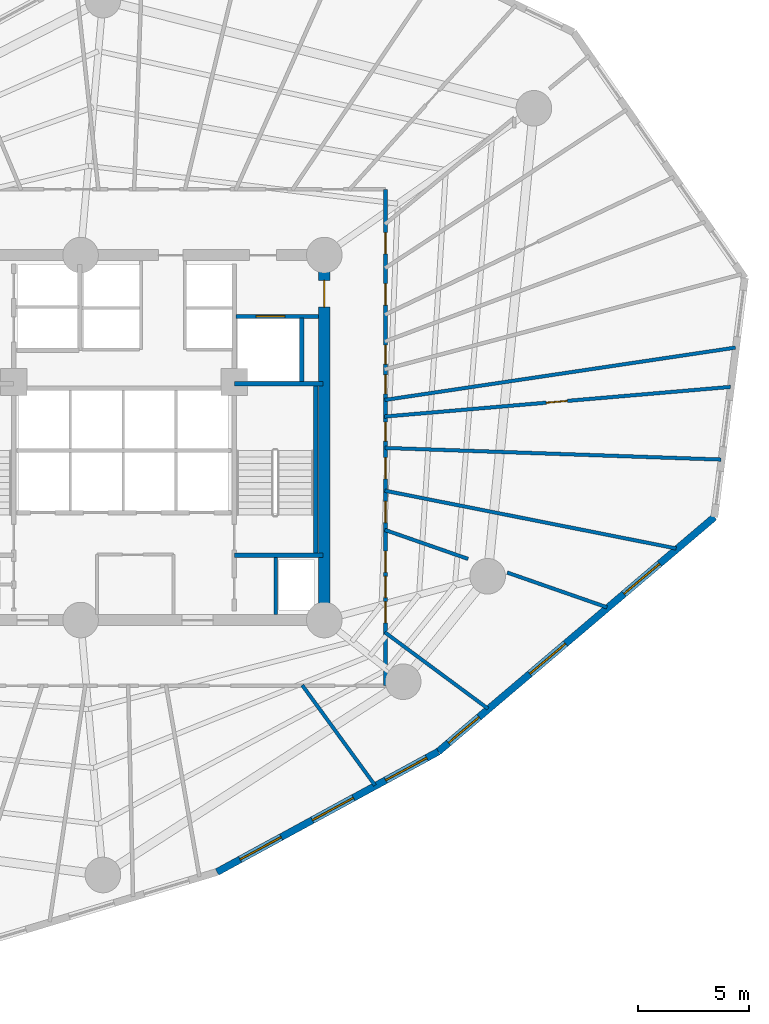
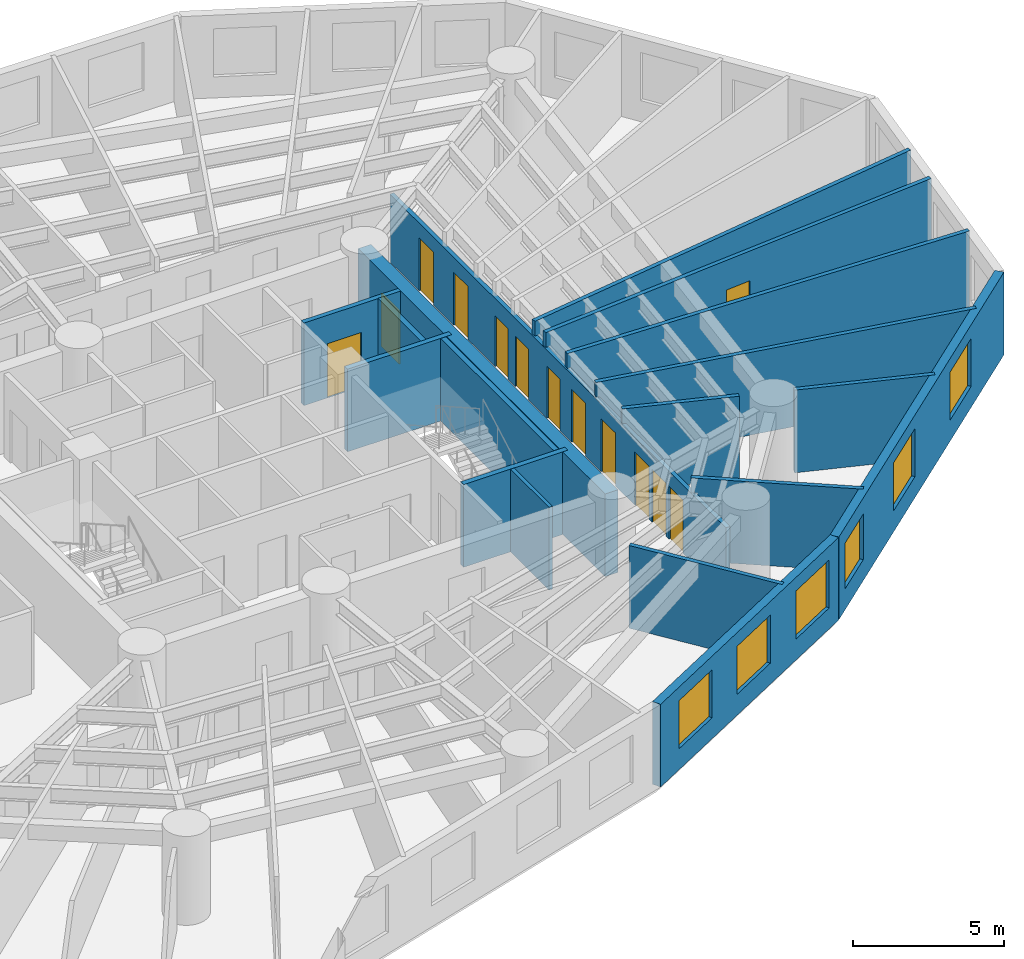
# One storey, part 5 of 9: 18 walls, 13 doors, 6 windows, 19 openings.
"""IFC4 building model written with IfcOpenShell, lengths in metres."""

from ifc_helpers import new_model, si_unit, direction, frame, frame_2d, origin, origin_with_axes, place, context, subcontext, project, spatial, rectangle, extrude, source, transform, mapped, material, layer, layer_set, type_object, element, fill, save


model = new_model("IFC4")

# Units and contexts
model_context = context("Model", 3, precision=1e-05, world=origin(), true_north=direction((0.0, 1.0)))
body_context = subcontext(model_context, "Body", "Model", "MODEL_VIEW")
ifc_project = project(units=[si_unit("LENGTHUNIT", "METRE"), si_unit("AREAUNIT", "SQUARE_METRE"), si_unit("VOLUMEUNIT", "CUBIC_METRE"), si_unit("PLANEANGLEUNIT", "RADIAN"), si_unit("MASSUNIT", "GRAM", prefix="KILO")], contexts=[model_context])

# Site, building, storey
site_placement = place(None, origin())
site = spatial("IfcSite", under=ifc_project, at=site_placement, CompositionType="ELEMENT")
building_placement = place(site_placement, origin())
building = spatial("IfcBuilding", under=site, at=building_placement, Name="Karkom Vertical University and Central Library", CompositionType="ELEMENT")
storey_placement = place(building_placement, frame((0.0, 0.0, 26.5)))
storey = spatial("IfcBuildingStorey", under=building, at=storey_placement, Name="L06", CompositionType="ELEMENT", Elevation=26.5)

# Wall, openings, windows
ifc_material_1 = material(Name="Brick-faced precast concrete C45/55", Category="masonry")
ifc_layer_1 = layer(ifc_material_1, 0.320068359375)
ifc_layer_set_1 = layer_set([ifc_layer_1], Name="Brick-faced precast concrete C45/55")
wall_type_1 = type_object("IfcWallType", Name="ENV-WL-BRK-320", PredefinedType="SOLIDWALL", material=ifc_layer_set_1)
wall_1_placement = place(storey_placement, frame((32.6826171875, 6.97802734375, 0.0), z_axis=(0.0, 0.0, 1.0), x_axis=(0.878311519502, 0.478088772833, 0.0)))
wall_1 = element("IfcWall", 1, at=wall_1_placement, inside=storey, type_object=wall_type_1, Name="Level 06 Brick-Faced Precast Facade Wall 06", PredefinedType="SOLIDWALL", context=body_context, shape_type="SweptSolid", body=[
    extrude(rectangle(XDim=11.31884765625, YDim=0.320068359375, at=frame_2d((5.659423828125, 0.0))), origin(), (0.0, 0.0, 1.0), 3.35009765625),
])
opening_1_placement = place(wall_1_placement, frame((1.177978515625, 0.0, 0.85009765625)))
opening_1 = element("IfcOpeningElement", 2, at=opening_1_placement, cuts=wall_1, Name="Opening WN-03", PredefinedType="OPENING", context=body_context, shape_type="SweptSolid", body=[
    extrude(rectangle(XDim=2.10009765625, YDim=1.949951171875, at=frame_2d((1.050048828125, 0.97509765625))), frame((0.0, 0.169921875, 0.0), z_axis=(0.0, -1.0, 0.0), x_axis=(1.0, 0.0, 0.0)), (0.0, 0.0, 1.0), 0.340087890625),
])
opening_2_placement = place(wall_1_placement, frame((4.8740234375, 0.0, 0.85009765625)))
opening_2 = element("IfcOpeningElement", 3, at=opening_2_placement, cuts=wall_1, Name="Opening WN-03", PredefinedType="OPENING", context=body_context, shape_type="SweptSolid", body=[
    extrude(rectangle(XDim=2.10009765625, YDim=1.949951171875, at=frame_2d((1.050048828125, 0.97509765625))), frame((0.0, 0.169921875, 0.0), z_axis=(0.0, -1.0, 0.0), x_axis=(1.0, 0.0, 0.0)), (0.0, 0.0, 1.0), 0.340087890625),
])
opening_3_placement = place(wall_1_placement, frame((8.62548828125, 0.0, 0.85009765625)))
opening_3 = element("IfcOpeningElement", 4, at=opening_3_placement, cuts=wall_1, Name="Opening WN-03", PredefinedType="OPENING", context=body_context, shape_type="SweptSolid", body=[
    extrude(rectangle(XDim=2.10009765625, YDim=1.949951171875, at=frame_2d((1.050048828125, 0.97509765625))), frame((0.0, 0.169921875, 0.0), z_axis=(0.0, -1.0, 0.0), x_axis=(1.0, 0.0, 0.0)), (0.0, 0.0, 1.0), 0.340087890625),
])
ifc_material_2 = material(Name="Aluminium thermal-break frame with solar-control IGU", Category="aluminium")
window_type_1 = type_object("IfcWindowType", Name="ENV-WIN-WN-03", PartitioningType="SINGLE_PANEL", PredefinedType="WINDOW", material=ifc_material_2)
shared_shape_1 = source(origin_with_axes(), body_context, "Body", "SweptSolid", [
    extrude(rectangle(XDim=2.10009765625, YDim=1.949951171875, at=frame_2d((1.050048828125, 0.97509765625))), frame((0.0, 0.030029296875, 0.0), z_axis=(0.0, -1.0, 0.0), x_axis=(1.0, 0.0, 0.0)), (0.0, 0.0, 1.0), 0.06005859375),
])
window_1_placement = place(opening_1_placement, origin())
window_1 = element("IfcWindow", 5, at=window_1_placement, inside=storey, type_object=window_type_1, Name="Level 06 Punched Window 6.1", OverallHeight=1.949951171875, OverallWidth=2.10009765625, PartitioningType="SINGLE_PANEL", PredefinedType="WINDOW", context=body_context, shape_type="MappedRepresentation", body=[
    mapped(shared_shape_1, transform((0.0, 0.0, 0.0), scale=1.0)),
])
fill(opening_1, window_1)
window_2_placement = place(opening_2_placement, origin())
window_2 = element("IfcWindow", 6, at=window_2_placement, inside=storey, type_object=window_type_1, Name="Level 06 Punched Window 6.2", OverallHeight=1.949951171875, OverallWidth=2.10009765625, PartitioningType="SINGLE_PANEL", PredefinedType="WINDOW", context=body_context, shape_type="MappedRepresentation", body=[
    mapped(shared_shape_1, transform((0.0, 0.0, 0.0), scale=1.0)),
])
fill(opening_2, window_2)
window_3_placement = place(opening_3_placement, origin())
window_3 = element("IfcWindow", 7, at=window_3_placement, inside=storey, type_object=window_type_1, Name="Level 06 Punched Window 6.3", OverallHeight=1.949951171875, OverallWidth=2.10009765625, PartitioningType="SINGLE_PANEL", PredefinedType="WINDOW", context=body_context, shape_type="MappedRepresentation", body=[
    mapped(shared_shape_1, transform((0.0, 0.0, 0.0), scale=1.0)),
])
fill(opening_3, window_3)

wall_2_placement = place(storey_placement, frame((42.6240234375, 12.389404296875, 0.0), z_axis=(0.0, 0.0, 1.0), x_axis=(0.762218671229, 0.647319625247, 0.0)))
wall_2 = element("IfcWall", 8, at=wall_2_placement, inside=storey, type_object=wall_type_1, Name="Level 06 Brick-Faced Precast Facade Wall 07", PredefinedType="SOLIDWALL", context=body_context, shape_type="SweptSolid", body=[
    extrude(rectangle(XDim=16.276123046875, YDim=0.320068359375, at=frame_2d((8.13818359375, 0.0))), origin(), (0.0, 0.0, 1.0), 3.35009765625),
])
opening_4_placement = place(wall_2_placement, frame((0.601318359375, 0.0, 0.85009765625)))
opening_4 = element("IfcOpeningElement", 9, at=opening_4_placement, cuts=wall_2, Name="Opening WN-04", PredefinedType="OPENING", context=body_context, shape_type="SweptSolid", body=[
    extrude(rectangle(XDim=1.800048828125, YDim=1.85009765625, at=frame_2d((0.89990234375, 0.925048828125))), frame((0.0, 0.169921875, 0.0), z_axis=(0.0, -1.0, 0.0), x_axis=(1.0, 0.0, 0.0)), (0.0, 0.0, 1.0), 0.340087890625),
])
opening_5_placement = place(wall_2_placement, frame((5.3994140625, 0.0, 0.85009765625)))
opening_5 = element("IfcOpeningElement", 10, at=opening_5_placement, cuts=wall_2, Name="Opening WN-03", PredefinedType="OPENING", context=body_context, shape_type="SweptSolid", body=[
    extrude(rectangle(XDim=2.10009765625, YDim=1.949951171875, at=frame_2d((1.050048828125, 0.97509765625))), frame((0.0, 0.169921875, 0.0), z_axis=(0.0, -1.0, 0.0), x_axis=(1.0, 0.0, 0.0)), (0.0, 0.0, 1.0), 0.340087890625),
])
opening_6_placement = place(wall_2_placement, frame((10.944580078125, 0.0, 0.85009765625)))
opening_6 = element("IfcOpeningElement", 11, at=opening_6_placement, cuts=wall_2, Name="Opening WN-03", PredefinedType="OPENING", context=body_context, shape_type="SweptSolid", body=[
    extrude(rectangle(XDim=2.10009765625, YDim=1.949951171875, at=frame_2d((1.050048828125, 0.97509765625))), frame((0.0, 0.169921875, 0.0), z_axis=(0.0, -1.0, 0.0), x_axis=(1.0, 0.0, 0.0)), (0.0, 0.0, 1.0), 0.340087890625),
])
window_4_placement = place(opening_5_placement, origin())
window_4 = element("IfcWindow", 12, at=window_4_placement, inside=storey, type_object=window_type_1, Name="Level 06 Punched Window 7.2", OverallHeight=1.949951171875, OverallWidth=2.10009765625, PartitioningType="SINGLE_PANEL", PredefinedType="WINDOW", context=body_context, shape_type="MappedRepresentation", body=[
    mapped(shared_shape_1, transform((0.0, 0.0, 0.0), scale=1.0)),
])
fill(opening_5, window_4)
window_5_placement = place(opening_6_placement, origin())
window_5 = element("IfcWindow", 13, at=window_5_placement, inside=storey, type_object=window_type_1, Name="Level 06 Punched Window 7.3", OverallHeight=1.949951171875, OverallWidth=2.10009765625, PartitioningType="SINGLE_PANEL", PredefinedType="WINDOW", context=body_context, shape_type="MappedRepresentation", body=[
    mapped(shared_shape_1, transform((0.0, 0.0, 0.0), scale=1.0)),
])
fill(opening_6, window_5)
window_type_2 = type_object("IfcWindowType", Name="ENV-WIN-WN-04", PartitioningType="SINGLE_PANEL", PredefinedType="WINDOW", material=ifc_material_2)
shared_shape_2 = source(origin_with_axes(), body_context, "Body", "SweptSolid", [
    extrude(rectangle(XDim=1.800048828125, YDim=1.85009765625, at=frame_2d((0.89990234375, 0.925048828125))), frame((0.0, 0.030029296875, 0.0), z_axis=(0.0, -1.0, 0.0), x_axis=(1.0, 0.0, 0.0)), (0.0, 0.0, 1.0), 0.06005859375),
])
window_6_placement = place(opening_4_placement, origin())
window_6 = element("IfcWindow", 14, at=window_6_placement, inside=storey, type_object=window_type_2, Name="Level 06 Punched Window 7.1", OverallHeight=1.85009765625, OverallWidth=1.800048828125, PartitioningType="SINGLE_PANEL", PredefinedType="WINDOW", context=body_context, shape_type="MappedRepresentation", body=[
    mapped(shared_shape_2, transform((0.0, 0.0, 0.0), scale=1.0)),
])
fill(opening_4, window_6)

# Wall, openings, doors
ifc_material_3 = material(Name="Insulated metal-stud drywall 160mm", Category="gypsum")
ifc_layer_2 = layer(ifc_material_3, 0.159912109375)
ifc_layer_set_2 = layer_set([ifc_layer_2], Name="Insulated metal-stud drywall 160mm")
wall_type_2 = type_object("IfcWallType", Name="INT-WL-COR-160", PredefinedType="PARTITIONING", material=ifc_layer_set_2)
wall_3_placement = place(storey_placement, frame((40.25, 37.64990234375, 0.0), z_axis=(0.0, 0.0, 1.0), x_axis=(0.0, -1.0, 0.0)))
wall_3 = element("IfcWall", 15, at=wall_3_placement, inside=storey, type_object=wall_type_2, Name="Level 06 Interior Partition Wall Level 06-CORW-CW-004", PredefinedType="PARTITIONING", context=body_context, shape_type="SweptSolid", body=[
    extrude(rectangle(XDim=22.2998046875, YDim=0.159912109375, at=frame_2d((11.14990234375, 0.0))), origin(), (0.0, 0.0, 1.0), 2.75),
])
opening_7_placement = place(wall_3_placement, frame((16.25, 0.0, 0.0)))
opening_7 = element("IfcOpeningElement", 16, at=opening_7_placement, cuts=wall_3, Name="Opening FD-RM2", PredefinedType="OPENING", context=body_context, shape_type="SweptSolid", body=[
    extrude(rectangle(XDim=0.9599609375, YDim=2.14990234375, at=frame_2d((0.47998046875, 1.074951171875))), frame((0.0, 0.08984375, 0.0), z_axis=(0.0, -1.0, 0.0), x_axis=(1.0, 0.0, 0.0)), (0.0, 0.0, 1.0), 0.179931640625),
])
opening_8_placement = place(wall_3_placement, frame((14.02001953125, 0.0, 0.0)))
opening_8 = element("IfcOpeningElement", 17, at=opening_8_placement, cuts=wall_3, Name="Opening D-RM1", PredefinedType="OPENING", context=body_context, shape_type="SweptSolid", body=[
    extrude(rectangle(XDim=0.949951171875, YDim=2.14990234375, at=frame_2d((0.47509765625, 1.074951171875))), frame((0.0, 0.08984375, 0.0), z_axis=(0.0, -1.0, 0.0), x_axis=(1.0, 0.0, 0.0)), (0.0, 0.0, 1.0), 0.179931640625),
])
opening_9_placement = place(wall_3_placement, frame((12.052490234375, 0.0, 0.0)))
opening_9 = element("IfcOpeningElement", 18, at=opening_9_placement, cuts=wall_3, Name="Opening D-RM1", PredefinedType="OPENING", context=body_context, shape_type="SweptSolid", body=[
    extrude(rectangle(XDim=0.949951171875, YDim=2.14990234375, at=frame_2d((0.47509765625, 1.074951171875))), frame((0.0, 0.08984375, 0.0), z_axis=(0.0, -1.0, 0.0), x_axis=(1.0, 0.0, 0.0)), (0.0, 0.0, 1.0), 0.179931640625),
])
opening_10_placement = place(wall_3_placement, frame((4.235107421875, 0.0, 0.0)))
opening_10 = element("IfcOpeningElement", 19, at=opening_10_placement, cuts=wall_3, Name="Opening FD-RM2", PredefinedType="OPENING", context=body_context, shape_type="SweptSolid", body=[
    extrude(rectangle(XDim=0.9599609375, YDim=2.14990234375, at=frame_2d((0.47998046875, 1.074951171875))), frame((0.0, 0.08984375, 0.0), z_axis=(0.0, -1.0, 0.0), x_axis=(1.0, 0.0, 0.0)), (0.0, 0.0, 1.0), 0.179931640625),
])
opening_11_placement = place(wall_3_placement, frame((10.4501953125, 0.0, 0.0)))
opening_11 = element("IfcOpeningElement", 20, at=opening_11_placement, cuts=wall_3, Name="Opening D-BATH", PredefinedType="OPENING", context=body_context, shape_type="SweptSolid", body=[
    extrude(rectangle(XDim=0.860107421875, YDim=2.10009765625, at=frame_2d((0.43017578125, 1.050048828125))), frame((0.0, 0.08984375, 0.0), z_axis=(0.0, -1.0, 0.0), x_axis=(1.0, 0.0, 0.0)), (0.0, 0.0, 1.0), 0.179931640625),
])
opening_12_placement = place(wall_3_placement, frame((1.93994140625, 0.0, 0.0)))
opening_12 = element("IfcOpeningElement", 21, at=opening_12_placement, cuts=wall_3, Name="Opening FD-RM2", PredefinedType="OPENING", context=body_context, shape_type="SweptSolid", body=[
    extrude(rectangle(XDim=0.9599609375, YDim=2.14990234375, at=frame_2d((0.47998046875, 1.074951171875))), frame((0.0, 0.08984375, 0.0), z_axis=(0.0, -1.0, 0.0), x_axis=(1.0, 0.0, 0.0)), (0.0, 0.0, 1.0), 0.179931640625),
])
opening_13_placement = place(wall_3_placement, frame((17.389892578125, 0.0, 0.0)))
opening_13 = element("IfcOpeningElement", 22, at=opening_13_placement, cuts=wall_3, Name="Opening D-RM1", PredefinedType="OPENING", context=body_context, shape_type="SweptSolid", body=[
    extrude(rectangle(XDim=0.949951171875, YDim=2.14990234375, at=frame_2d((0.47509765625, 1.074951171875))), frame((0.0, 0.08984375, 0.0), z_axis=(0.0, -1.0, 0.0), x_axis=(1.0, 0.0, 0.0)), (0.0, 0.0, 1.0), 0.179931640625),
])
opening_14_placement = place(wall_3_placement, frame((18.5224609375, 0.0, 0.0)))
opening_14 = element("IfcOpeningElement", 23, at=opening_14_placement, cuts=wall_3, Name="Opening D-RM1", PredefinedType="OPENING", context=body_context, shape_type="SweptSolid", body=[
    extrude(rectangle(XDim=0.949951171875, YDim=2.14990234375, at=frame_2d((0.47509765625, 1.074951171875))), frame((0.0, 0.08984375, 0.0), z_axis=(0.0, -1.0, 0.0), x_axis=(1.0, 0.0, 0.0)), (0.0, 0.0, 1.0), 0.179931640625),
])
opening_15_placement = place(wall_3_placement, frame((8.331298828125, 0.0, 0.0)))
opening_15 = element("IfcOpeningElement", 24, at=opening_15_placement, cuts=wall_3, Name="Opening FD-BTH2", PredefinedType="OPENING", context=body_context, shape_type="SweptSolid", body=[
    extrude(rectangle(XDim=0.860107421875, YDim=2.0400390625, at=frame_2d((0.43017578125, 1.02001953125))), frame((0.0, 0.08984375, 0.0), z_axis=(0.0, -1.0, 0.0), x_axis=(1.0, 0.0, 0.0)), (0.0, 0.0, 1.0), 0.179931640625),
])
opening_16_placement = place(wall_3_placement, frame((6.99169921875, 0.0, 0.0)))
opening_16 = element("IfcOpeningElement", 25, at=opening_16_placement, cuts=wall_3, Name="Opening FD-BTH2", PredefinedType="OPENING", context=body_context, shape_type="SweptSolid", body=[
    extrude(rectangle(XDim=0.860107421875, YDim=2.0400390625, at=frame_2d((0.43017578125, 1.02001953125))), frame((0.0, 0.08984375, 0.0), z_axis=(0.0, -1.0, 0.0), x_axis=(1.0, 0.0, 0.0)), (0.0, 0.0, 1.0), 0.179931640625),
])
ifc_material_4 = material(Name="Fire-rated oak veneer door", Category="wood")
door_type_1 = type_object("IfcDoorType", Name="INT-DR-FRM2", OperationType="NOTDEFINED", PredefinedType="DOOR", material=ifc_material_4)
shared_shape_3 = source(origin_with_axes(), body_context, "Body", "SweptSolid", [
    extrude(rectangle(XDim=0.9599609375, YDim=2.14990234375, at=frame_2d((0.47998046875, 1.074951171875))), frame((0.0, 0.02490234375, 0.0), z_axis=(0.0, -1.0, 0.0), x_axis=(1.0, 0.0, 0.0)), (0.0, 0.0, 1.0), 0.050048828125),
])
door_1_placement = place(opening_7_placement, origin())
door_1 = element("IfcDoor", 26, at=door_1_placement, inside=storey, type_object=door_type_1, Name="Level 06 Room Entry Door 120", OperationType="SINGLE_SWING_LEFT", OverallHeight=2.14990234375, OverallWidth=0.9599609375, PredefinedType="DOOR", context=body_context, shape_type="MappedRepresentation", body=[
    mapped(shared_shape_3, transform((0.0, 0.0, 0.0), scale=1.0)),
])
fill(opening_7, door_1)
door_2_placement = place(opening_10_placement, origin())
door_2 = element("IfcDoor", 27, at=door_2_placement, inside=storey, type_object=door_type_1, Name="Level 06 Room Entry Door 150", OperationType="SINGLE_SWING_RIGHT", OverallHeight=2.14990234375, OverallWidth=0.9599609375, PredefinedType="DOOR", context=body_context, shape_type="MappedRepresentation", body=[
    mapped(shared_shape_3, transform((0.0, 0.0, 0.0), scale=1.0)),
])
fill(opening_10, door_2)
door_3_placement = place(opening_12_placement, origin())
door_3 = element("IfcDoor", 28, at=door_3_placement, inside=storey, type_object=door_type_1, Name="Level 06 Room Entry Door 180", OperationType="SINGLE_SWING_RIGHT", OverallHeight=2.14990234375, OverallWidth=0.9599609375, PredefinedType="DOOR", context=body_context, shape_type="MappedRepresentation", body=[
    mapped(shared_shape_3, transform((0.0, 0.0, 0.0), scale=1.0)),
])
fill(opening_12, door_3)
ifc_material_5 = material(Name="Fire-rated moisture-resistant oak door", Category="wood")
door_type_2 = type_object("IfcDoorType", Name="INT-DR-FBTH2", OperationType="NOTDEFINED", PredefinedType="DOOR", material=ifc_material_5)
shared_shape_4 = source(origin_with_axes(), body_context, "Body", "SweptSolid", [
    extrude(rectangle(XDim=0.860107421875, YDim=2.0400390625, at=frame_2d((0.43017578125, 1.02001953125))), frame((0.0, 0.02490234375, 0.0), z_axis=(0.0, -1.0, 0.0), x_axis=(1.0, 0.0, 0.0)), (0.0, 0.0, 1.0), 0.050048828125),
])
door_4_placement = place(opening_15_placement, origin())
door_4 = element("IfcDoor", 29, at=door_4_placement, inside=storey, type_object=door_type_2, Name="Level 06 Faculty Consultation and Research Office Entry Door", OperationType="SINGLE_SWING_RIGHT", OverallHeight=2.0400390625, OverallWidth=0.860107421875, PredefinedType="DOOR", context=body_context, shape_type="MappedRepresentation", body=[
    mapped(shared_shape_4, transform((0.0, 0.0, 0.0), scale=1.0)),
])
fill(opening_15, door_4)
door_5_placement = place(opening_16_placement, origin())
door_5 = element("IfcDoor", 30, at=door_5_placement, inside=storey, type_object=door_type_2, Name="Level 06 University Seminar Classroom Entry Door", OperationType="SINGLE_SWING_LEFT", OverallHeight=2.0400390625, OverallWidth=0.860107421875, PredefinedType="DOOR", context=body_context, shape_type="MappedRepresentation", body=[
    mapped(shared_shape_4, transform((0.0, 0.0, 0.0), scale=1.0)),
])
fill(opening_16, door_5)
ifc_material_6 = material(Name="Moisture-resistant oak door", Category="wood")
door_type_3 = type_object("IfcDoorType", Name="INT-DR-BATH", OperationType="NOTDEFINED", PredefinedType="DOOR", material=ifc_material_6)
shared_shape_5 = source(origin_with_axes(), body_context, "Body", "SweptSolid", [
    extrude(rectangle(XDim=0.860107421875, YDim=2.10009765625, at=frame_2d((0.43017578125, 1.050048828125))), frame((0.0, 0.02490234375, 0.0), z_axis=(0.0, -1.0, 0.0), x_axis=(1.0, 0.0, 0.0)), (0.0, 0.0, 1.0), 0.050048828125),
])
door_6_placement = place(opening_11_placement, origin())
door_6 = element("IfcDoor", 31, at=door_6_placement, inside=storey, type_object=door_type_3, Name="Level 06 Room Entry Door 170", OperationType="SINGLE_SWING_LEFT", OverallHeight=2.10009765625, OverallWidth=0.860107421875, PredefinedType="DOOR", context=body_context, shape_type="MappedRepresentation", body=[
    mapped(shared_shape_5, transform((0.0, 0.0, 0.0), scale=1.0)),
])
fill(opening_11, door_6)
ifc_material_7 = material(Name="Solid-core oak veneer door", Category="wood")
door_type_4 = type_object("IfcDoorType", Name="INT-DR-RM1", OperationType="NOTDEFINED", PredefinedType="DOOR", material=ifc_material_7)
shared_shape_6 = source(origin_with_axes(), body_context, "Body", "SweptSolid", [
    extrude(rectangle(XDim=0.949951171875, YDim=2.14990234375, at=frame_2d((0.47509765625, 1.074951171875))), frame((0.0, 0.02490234375, 0.0), z_axis=(0.0, -1.0, 0.0), x_axis=(1.0, 0.0, 0.0)), (0.0, 0.0, 1.0), 0.050048828125),
])
door_7_placement = place(opening_8_placement, origin())
door_7 = element("IfcDoor", 32, at=door_7_placement, inside=storey, type_object=door_type_4, Name="Level 06 Room Entry Door 130", OperationType="SINGLE_SWING_RIGHT", OverallHeight=2.14990234375, OverallWidth=0.949951171875, PredefinedType="DOOR", context=body_context, shape_type="MappedRepresentation", body=[
    mapped(shared_shape_6, transform((0.0, 0.0, 0.0), scale=1.0)),
])
fill(opening_8, door_7)
door_8_placement = place(opening_9_placement, origin())
door_8 = element("IfcDoor", 33, at=door_8_placement, inside=storey, type_object=door_type_4, Name="Level 06 Room Entry Door 140", OperationType="SINGLE_SWING_LEFT", OverallHeight=2.14990234375, OverallWidth=0.949951171875, PredefinedType="DOOR", context=body_context, shape_type="MappedRepresentation", body=[
    mapped(shared_shape_6, transform((0.0, 0.0, 0.0), scale=1.0)),
])
fill(opening_9, door_8)
door_9_placement = place(opening_13_placement, origin())
door_9 = element("IfcDoor", 34, at=door_9_placement, inside=storey, type_object=door_type_4, Name="Level 06 Room Entry Door 190", OperationType="SINGLE_SWING_LEFT", OverallHeight=2.14990234375, OverallWidth=0.949951171875, PredefinedType="DOOR", context=body_context, shape_type="MappedRepresentation", body=[
    mapped(shared_shape_6, transform((0.0, 0.0, 0.0), scale=1.0)),
])
fill(opening_13, door_9)
door_10_placement = place(opening_14_placement, origin())
door_10 = element("IfcDoor", 35, at=door_10_placement, inside=storey, type_object=door_type_4, Name="Level 06 Room Entry Door 200", OperationType="SINGLE_SWING_RIGHT", OverallHeight=2.14990234375, OverallWidth=0.949951171875, PredefinedType="DOOR", context=body_context, shape_type="MappedRepresentation", body=[
    mapped(shared_shape_6, transform((0.0, 0.0, 0.0), scale=1.0)),
])
fill(opening_14, door_10)

# Wall
wall_4_placement = place(storey_placement, frame((40.22021484375, 28.189453125, 0.0), z_axis=(0.0, 0.0, 1.0), x_axis=(0.989032606849, 0.147697334402, 0.0)))
element("IfcWall", 36, at=wall_4_placement, inside=storey, type_object=wall_type_2, Name="Level 06 Interior Partition Wall Level 06-PW-020", PredefinedType="PARTITIONING", context=body_context, shape_type="SweptSolid", body=[
    extrude(rectangle(XDim=15.92822265625, YDim=0.159912109375, at=frame_2d((7.964111328125, 0.0))), origin(), (0.0, 0.0, 1.0), 3.35009765625),
])

# Wall, opening, door
wall_5_placement = place(storey_placement, frame((40.205078125, 27.443359375, 0.0), z_axis=(0.0, 0.0, 1.0), x_axis=(0.996343224328, 0.08544108693, 0.0)))
wall_5 = element("IfcWall", 37, at=wall_5_placement, inside=storey, type_object=wall_type_2, Name="Level 06 Interior Partition Wall Level 06-PW-019", PredefinedType="PARTITIONING", context=body_context, shape_type="SweptSolid", body=[
    extrude(rectangle(XDim=15.6015625, YDim=0.159912109375, at=frame_2d((7.80078125, 0.0))), origin(), (0.0, 0.0, 1.0), 3.35009765625),
])
opening_17_placement = place(wall_5_placement, frame((7.30078125, 0.0, 0.0)))
opening_17 = element("IfcOpeningElement", 38, at=opening_17_placement, cuts=wall_5, Name="Opening D-RM1", PredefinedType="OPENING", context=body_context, shape_type="SweptSolid", body=[
    extrude(rectangle(XDim=0.949951171875, YDim=2.14990234375, at=frame_2d((0.47509765625, 1.074951171875))), frame((0.0, 0.08984375, 0.0), z_axis=(0.0, -1.0, 0.0), x_axis=(1.0, 0.0, 0.0)), (0.0, 0.0, 1.0), 0.179931640625),
])
door_11_placement = place(opening_17_placement, origin())
door_11 = element("IfcDoor", 39, at=door_11_placement, inside=storey, type_object=door_type_4, Name="Level 06 Room Entry Door 160", OperationType="SINGLE_SWING_LEFT", OverallHeight=2.14990234375, OverallWidth=0.949951171875, PredefinedType="DOOR", context=body_context, shape_type="MappedRepresentation", body=[
    mapped(shared_shape_6, transform((0.0, 0.0, 0.0), scale=1.0)),
])
fill(opening_17, door_11)

# Walls
wall_6_placement = place(storey_placement, frame((40.219970703125, 26.034423828125, 0.0), z_axis=(0.0, 0.0, 1.0), x_axis=(0.999402543326, -0.034562355155, 0.0)))
element("IfcWall", 40, at=wall_6_placement, inside=storey, type_object=wall_type_2, Name="Level 06 Interior Partition Wall Level 06-PW-018", PredefinedType="PARTITIONING", context=body_context, shape_type="SweptSolid", body=[
    extrude(rectangle(XDim=15.12353515625, YDim=0.159912109375, at=frame_2d((7.561767578125, 0.0))), origin(), (0.0, 0.0, 1.0), 3.35009765625),
])
wall_7_placement = place(storey_placement, frame((40.220703125, 24.11376953125, 0.0), z_axis=(0.0, 0.0, 1.0), x_axis=(0.980888341072, -0.194571483908, 0.0)))
element("IfcWall", 41, at=wall_7_placement, inside=storey, type_object=wall_type_2, Name="Level 06 Interior Partition Wall Level 06-PW-017", PredefinedType="PARTITIONING", context=body_context, shape_type="SweptSolid", body=[
    extrude(rectangle(XDim=13.345703125, YDim=0.159912109375, at=frame_2d((6.6728515625, 0.0))), origin(), (0.0, 0.0, 1.0), 3.35009765625),
])
wall_8_placement = place(storey_placement, frame((40.225830078125, 17.746337890625, 0.0), z_axis=(0.0, 0.0, 1.0), x_axis=(0.803788391649, -0.594915306116, 0.0)))
element("IfcWall", 42, at=wall_8_placement, inside=storey, type_object=wall_type_2, Name="Level 06 Interior Partition Wall Level 06-PW-014", PredefinedType="PARTITIONING", context=body_context, shape_type="SweptSolid", body=[
    extrude(rectangle(XDim=5.760009765625, YDim=0.159912109375, at=frame_2d((2.8798828125, 0.0))), origin(), (0.0, 0.0, 1.0), 3.35009765625),
])
wall_9_placement = place(storey_placement, frame((36.509765625, 15.374267578125, 0.0), z_axis=(0.0, 0.0, 1.0), x_axis=(0.587832607998, -0.808982586324, 0.0)))
element("IfcWall", 43, at=wall_9_placement, inside=storey, type_object=wall_type_2, Name="Level 06 Interior Partition Wall Level 06-PW-013", PredefinedType="PARTITIONING", context=body_context, shape_type="SweptSolid", body=[
    extrude(rectangle(XDim=5.566162109375, YDim=0.159912109375, at=frame_2d((2.783203125, 0.0))), origin(), (0.0, 0.0, 1.0), 3.35009765625),
])
wall_10_placement = place(storey_placement, frame((45.720947265625, 20.434326171875, 0.0), z_axis=(0.0, 0.0, 1.0), x_axis=(0.944286423724, -0.329124824299, 0.0)))
element("IfcWall", 44, at=wall_10_placement, inside=storey, type_object=wall_type_2, Name="Level 06 Interior Partition Wall Level 06-PW-016", PredefinedType="PARTITIONING", context=body_context, shape_type="SweptSolid", body=[
    extrude(rectangle(XDim=4.748291015625, YDim=0.159912109375, at=frame_2d((2.3740234375, 0.0))), origin(), (0.0, 0.0, 1.0), 3.35009765625),
])
wall_11_placement = place(storey_placement, frame((40.2216796875, 22.35107421875, 0.0), z_axis=(0.0, 0.0, 1.0), x_axis=(0.944292001394, -0.329108821066, 0.0)))
element("IfcWall", 45, at=wall_11_placement, inside=storey, type_object=wall_type_2, Name="Level 06 Interior Partition Wall Level 06-PW-015", PredefinedType="PARTITIONING", context=body_context, shape_type="SweptSolid", body=[
    extrude(rectangle(XDim=3.9599609375, YDim=0.159912109375, at=frame_2d((1.97998046875, 0.0))), origin(), (0.0, 0.0, 1.0), 3.35009765625),
])
ifc_material_8 = material(Name="Metal-stud gypsum partition 140mm", Category="gypsum")
ifc_layer_3 = layer(ifc_material_8, 0.139892578125)
ifc_layer_set_3 = layer_set([ifc_layer_3], Name="Metal-stud gypsum partition 140mm")
wall_type_3 = type_object("IfcWallType", Name="INT-WL-SUB-140H", PredefinedType="PARTITIONING", material=ifc_layer_set_3)
wall_12_placement = place(storey_placement, frame((35.320068359375, 18.556884765625, 0.0), z_axis=(0.0, 0.0, 1.0), x_axis=(0.0, 1.0, 0.0)))
element("IfcWall", 46, at=wall_12_placement, inside=storey, type_object=wall_type_3, Name="Level 06 Interior Partition Wall Level 06-CW-RIS-E", PredefinedType="PARTITIONING", context=body_context, shape_type="SweptSolid", body=[
    extrude(rectangle(XDim=2.553466796875, YDim=0.139892578125, at=frame_2d((1.27685546875, 0.0))), origin(), (0.0, 0.0, 1.0), 3.35009765625),
])

# Wall, opening, door
ifc_material_9 = material(Name="Twin-stud acoustic drywall 180mm", Category="gypsum")
ifc_layer_4 = layer(ifc_material_9, 0.179931640625)
ifc_layer_set_4 = layer_set([ifc_layer_4], Name="Twin-stud acoustic drywall 180mm")
wall_type_4 = type_object("IfcWallType", Name="INT-WL-TEN-180F", PredefinedType="PARTITIONING", material=ifc_layer_set_4)
wall_13_placement = place(storey_placement, frame((33.534912109375, 31.949951171875, 0.0), z_axis=(0.0, 0.0, 1.0), x_axis=(1.0, 0.0, 0.0)))
wall_13 = element("IfcWall", 47, at=wall_13_placement, inside=storey, type_object=wall_type_4, Name="Level 06 Interior Partition Wall Level 06-CW-SVL-N", PredefinedType="PARTITIONING", context=body_context, shape_type="SweptSolid", body=[
    extrude(rectangle(XDim=3.708740234375, YDim=0.179931640625, at=frame_2d((1.8544921875, 0.0))), origin(), (0.0, 0.0, 1.0), 3.35009765625),
])
opening_18_placement = place(wall_13_placement, frame((0.89990234375, 0.0, 0.0)))
opening_18 = element("IfcOpeningElement", 48, at=opening_18_placement, cuts=wall_13, Name="Opening LD-SV1", PredefinedType="OPENING", context=body_context, shape_type="SweptSolid", body=[
    extrude(rectangle(XDim=1.300048828125, YDim=2.199951171875, at=frame_2d((0.64990234375, 1.10009765625))), frame((0.0, 0.10009765625, 0.0), z_axis=(0.0, -1.0, 0.0), x_axis=(1.0, 0.0, 0.0)), (0.0, 0.0, 1.0), 0.199951171875),
])
ifc_material_10 = material(Name="Brushed stainless-steel landing door", Category="steel")
door_type_5 = type_object("IfcDoorType", Name="INT-DR-LD-SV1", OperationType="SLIDING_TO_LEFT", PredefinedType="DOOR", material=ifc_material_10)
shared_shape_7 = source(origin_with_axes(), body_context, "Body", "SweptSolid", [
    extrude(rectangle(XDim=1.300048828125, YDim=2.199951171875, at=frame_2d((0.64990234375, 1.10009765625))), frame((0.0, 0.02490234375, 0.0), z_axis=(0.0, -1.0, 0.0), x_axis=(1.0, 0.0, 0.0)), (0.0, 0.0, 1.0), 0.050048828125),
])
door_12_placement = place(opening_18_placement, origin())
door_12 = element("IfcDoor", 49, at=door_12_placement, inside=storey, type_object=door_type_5, Name="Level 06 Service Lift Landing Door LD-SV1", OperationType="SLIDING_TO_LEFT", OverallHeight=2.199951171875, OverallWidth=1.300048828125, PredefinedType="DOOR", context=body_context, shape_type="MappedRepresentation", body=[
    mapped(shared_shape_7, transform((0.0, 0.0, 0.0), scale=1.0)),
])
fill(opening_18, door_12)

ifc_material_11 = material(Name="Concrete C50/60", Category="concrete")
ifc_layer_5 = layer(ifc_material_11, 0.5)
ifc_layer_set_5 = layer_set([ifc_layer_5], Name="Concrete C50/60")
wall_type_5 = type_object("IfcWallType", Name="STR-WL-CW-500", PredefinedType="SHEAR", material=ifc_layer_set_5)
wall_14_placement = place(storey_placement, frame((37.5, 18.300048828125, 0.0), z_axis=(0.0, 0.0, 1.0), x_axis=(0.0, 1.0, 0.0)))
wall_14 = element("IfcWall", 50, at=wall_14_placement, inside=storey, type_object=wall_type_5, Name="Level 06 Central Core Shear Wall EW", PredefinedType="SHEAR", context=body_context, shape_type="SweptSolid", body=[
    extrude(rectangle(XDim=16.39990234375, YDim=0.5, at=frame_2d((8.199951171875, 0.0))), origin(), (0.0, 0.0, 1.0), 3.35009765625),
])
opening_19_placement = place(wall_14_placement, frame((14.06005859375, 0.0, 0.0)))
opening_19 = element("IfcOpeningElement", 51, at=opening_19_placement, cuts=wall_14, Name="Opening FD-SUB1", PredefinedType="OPENING", context=body_context, shape_type="SweptSolid", body=[
    extrude(rectangle(XDim=1.199951171875, YDim=2.14990234375, at=frame_2d((0.60009765625, 1.074951171875))), frame((0.0, 0.260009765625, 0.0), z_axis=(0.0, -1.0, 0.0), x_axis=(1.0, 0.0, 0.0)), (0.0, 0.0, 1.0), 0.52001953125),
])
ifc_material_12 = material(Name="Painted steel fire door", Category="steel")
door_type_6 = type_object("IfcDoorType", Name="INT-DR-SUB1", OperationType="NOTDEFINED", PredefinedType="DOOR", material=ifc_material_12)
shared_shape_8 = source(origin_with_axes(), body_context, "Body", "SweptSolid", [
    extrude(rectangle(XDim=1.199951171875, YDim=2.14990234375, at=frame_2d((0.60009765625, 1.074951171875))), frame((0.0, 0.02490234375, 0.0), z_axis=(0.0, -1.0, 0.0), x_axis=(1.0, 0.0, 0.0)), (0.0, 0.0, 1.0), 0.050048828125),
])
door_13_placement = place(opening_19_placement, origin())
door_13 = element("IfcDoor", 52, at=door_13_placement, inside=storey, type_object=door_type_6, Name="Level 06 East Corridor Service Lobby Door", OperationType="SINGLE_SWING_LEFT", OverallHeight=2.14990234375, OverallWidth=1.199951171875, PredefinedType="DOOR", context=body_context, shape_type="MappedRepresentation", body=[
    mapped(shared_shape_8, transform((0.0, 0.0, 0.0), scale=1.0)),
])
fill(opening_19, door_13)

# Walls
ifc_material_13 = material(Name="Concrete C45/55", Category="concrete")
ifc_layer_6 = layer(ifc_material_13, 0.199951171875)
ifc_layer_set_6 = layer_set([ifc_layer_6], Name="Concrete C45/55")
wall_type_6 = type_object("IfcWallType", Name="STR-WL-ST-200", PredefinedType="SHEAR", material=ifc_layer_set_6)
wall_15_placement = place(storey_placement, frame((37.125, 21.320068359375, 0.0), z_axis=(0.0, 0.0, 1.0), x_axis=(0.0, 1.0, 0.0)))
element("IfcWall", 53, at=wall_15_placement, inside=storey, type_object=wall_type_6, Name="Level 06 Core Shaft Wall Level 06-CW-ST2-E", PredefinedType="SHEAR", context=body_context, shape_type="SweptSolid", body=[
    extrude(rectangle(XDim=7.5, YDim=0.199951171875, at=frame_2d((3.75, 0.0))), origin(), (0.0, 0.0, 1.0), 3.35009765625),
])
for number, where, z_axis, x_axis, name in (
    (54, (33.455078125, 21.215087890625, 0.0), (0.0, 0.0, 1.0), (1.0, 0.0, 0.0), "Level 06 Core Shaft Wall Level 06-CW-ST2-S"),
    (55, (33.455078125, 28.925048828125, 0.0), (0.0, 0.0, 1.0), (1.0, 0.0, 0.0), "Level 06 Core Shaft Wall Level 06-CW-ST2-N"),
):
    element("IfcWall", number, at=place(storey_placement, frame(where, z_axis=z_axis, x_axis=x_axis)), inside=storey, type_object=wall_type_6, Name=name, PredefinedType="SHEAR", context=body_context, shape_type="SweptSolid", body=[
        extrude(rectangle(XDim=3.994873046875, YDim=0.199951171875, at=frame_2d((1.99755859375, 0.0))), origin(), (0.0, 0.0, 1.0), 3.35009765625),
    ])
wall_16_placement = place(storey_placement, frame((36.47998046875, 29.02001953125, 0.0), z_axis=(0.0, 0.0, 1.0), x_axis=(0.0, 1.0, 0.0)))
element("IfcWall", 56, at=wall_16_placement, inside=storey, type_object=wall_type_6, Name="Level 06 Core Shaft Wall Level 06-CW-SVL-E", PredefinedType="SHEAR", context=body_context, shape_type="SweptSolid", body=[
    extrude(rectangle(XDim=2.85986328125, YDim=0.199951171875, at=frame_2d((1.429931640625, 0.0))), origin(), (0.0, 0.0, 1.0), 3.35009765625),
])

save(model, "model.ifc")
